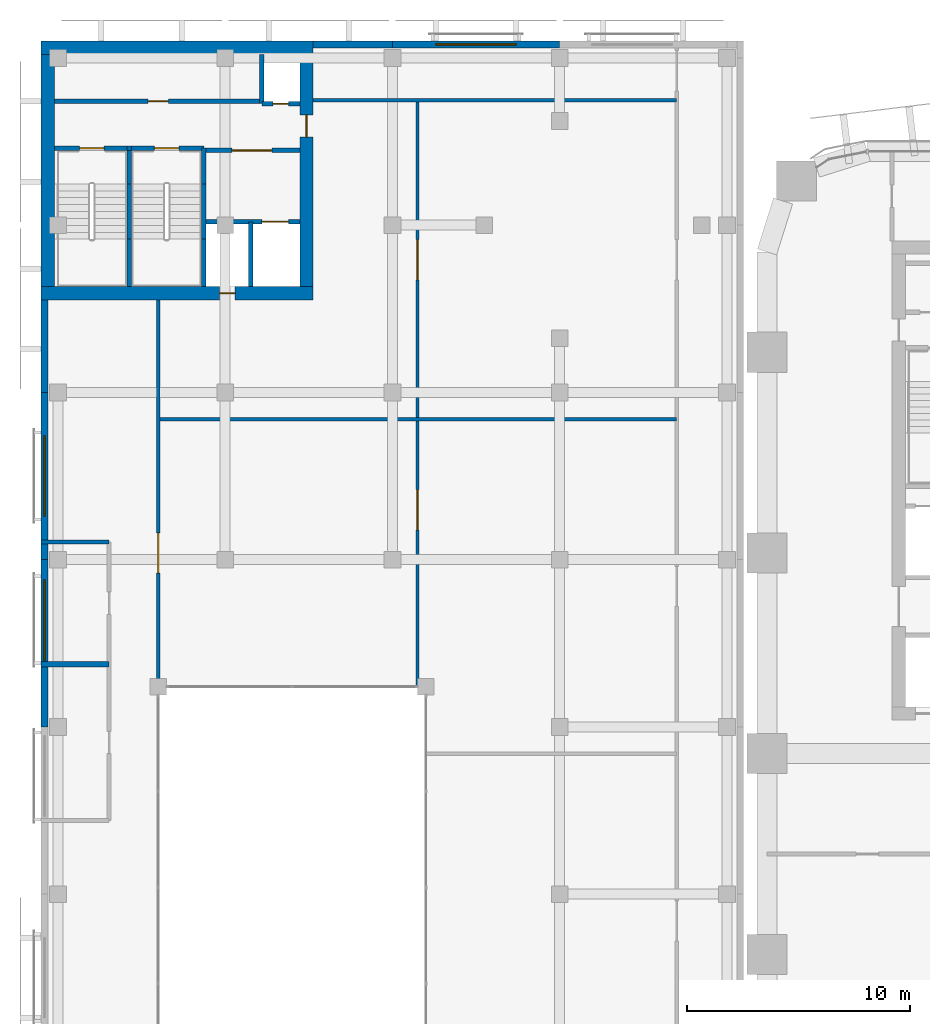
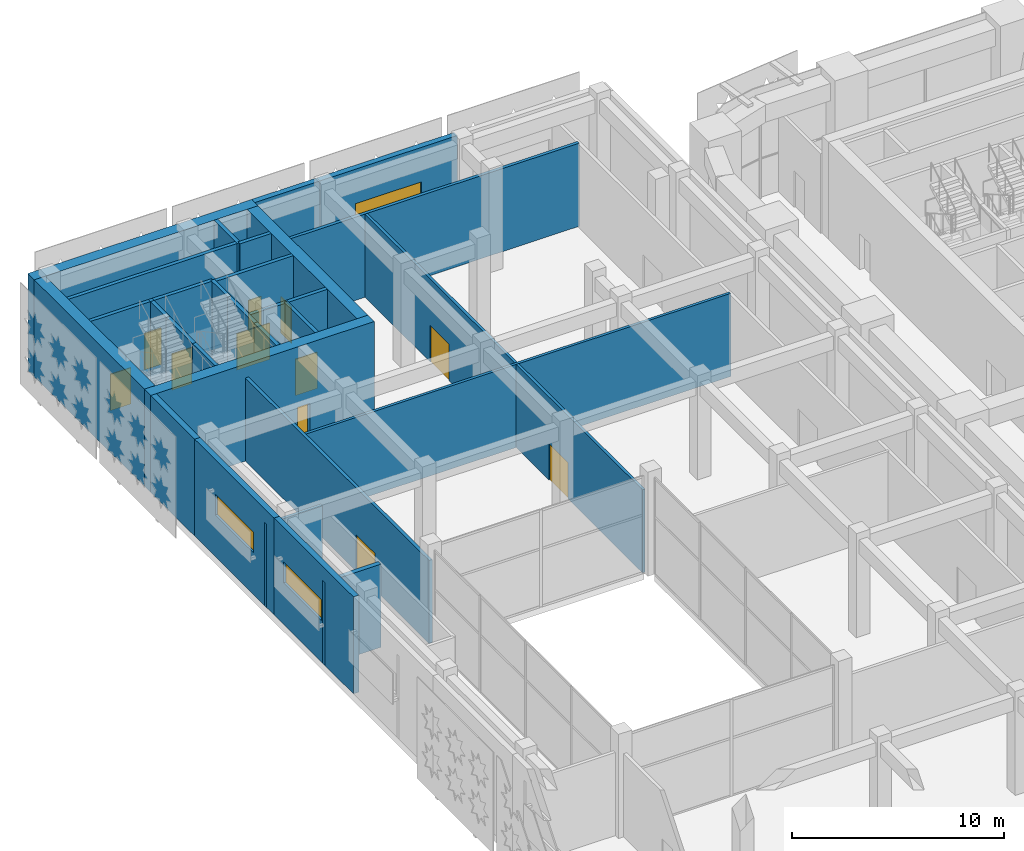
# One storey, part 19 of 46: 30 walls, 11 doors, 3 windows, 14 openings.
"""IFC4 building model written with IfcOpenShell, lengths in metres."""

from ifc_helpers import new_model, si_unit, direction, frame, frame_2d, origin, place, context, subcontext, project, spatial, rectangle, extrude, material, layer, layer_set, type_object, element, fill, save


model = new_model("IFC4")

# Units and contexts
model_context = context("Model", 3, precision=1e-05, world=origin(), true_north=direction((0.0, 1.0)))
body_context = subcontext(model_context, "Body", "Model", "MODEL_VIEW")
ifc_project = project(units=[si_unit("LENGTHUNIT", "METRE"), si_unit("AREAUNIT", "SQUARE_METRE"), si_unit("VOLUMEUNIT", "CUBIC_METRE"), si_unit("PLANEANGLEUNIT", "RADIAN"), si_unit("MASSUNIT", "GRAM", prefix="KILO")], contexts=[model_context])

# Site, building, storey
site_placement = place(None, origin())
site = spatial("IfcSite", under=ifc_project, at=site_placement, CompositionType="ELEMENT")
building_placement = place(site_placement, origin())
building = spatial("IfcBuilding", under=site, at=building_placement, Name="Tessera Arch", CompositionType="ELEMENT")
storey_placement = place(building_placement, frame((0.0, 0.0, 8.0)))
storey = spatial("IfcBuildingStorey", under=building, at=storey_placement, Name="L01", CompositionType="ELEMENT", Elevation=8.0)

# Wall, opening, door
ifc_material_1 = material(Name="Gypsum board on steel stud", Category="steel")
ifc_layer_1 = layer(ifc_material_1, 0.125)
ifc_layer_set_1 = layer_set([ifc_layer_1], Name="Core partition 125 EI 60")
wall_type_1 = type_object("IfcWallType", Name="Core partition 125 EI 60", PredefinedType="PARTITIONING", material=ifc_layer_set_1)
wall_1_placement = place(storey_placement, frame((-25.25, 54.050048828125, 0.0), z_axis=(0.0, 0.0, 1.0), x_axis=(1.0, 0.0, 0.0)))
wall_1 = element("IfcWall", 1, at=wall_1_placement, inside=storey, type_object=wall_type_1, Name="L01 M1 partition wall 10", PredefinedType="PARTITIONING", context=body_context, shape_type="SweptSolid", body=[
    extrude(rectangle(XDim=4.300048828125, YDim=0.199951171875, at=frame_2d((2.14990234375, 0.0))), origin(), (0.0, 0.0, 1.0), 5.590087890625),
])
opening_1_placement = place(wall_1_placement, frame((1.25, 0.0, 0.0)))
opening_1 = element("IfcOpeningElement", 2, at=opening_1_placement, cuts=wall_1, Name="Opening L01-C48", PredefinedType="OPENING", context=body_context, shape_type="SweptSolid", body=[
    extrude(rectangle(XDim=1.800048828125, YDim=2.10009765625, at=frame_2d((0.89990234375, 1.050048828125))), frame((0.0, 0.10986328125, 0.0), z_axis=(0.0, -1.0, 0.0), x_axis=(1.0, 0.0, 0.0)), (0.0, 0.0, 1.0), 0.219970703125),
])
ifc_material_2 = material(Name="Glazed steel door leaf", Category="steel")
door_type_1 = type_object("IfcDoorType", Name="Lobby double door FD30S 1800 x 2100", OperationType="DOUBLE_DOOR_SINGLE_SWING", PredefinedType="DOOR", material=ifc_material_2)
door_1_placement = place(opening_1_placement, origin())
door_1 = element("IfcDoor", 3, at=door_1_placement, inside=storey, type_object=door_type_1, Name="L01 M1 door 4 C48 type D06", OperationType="DOUBLE_DOOR_SINGLE_SWING", OverallHeight=2.10009765625, OverallWidth=1.800048828125, PredefinedType="DOOR", context=body_context, shape_type="SweptSolid", body=[
    extrude(rectangle(XDim=1.800048828125, YDim=2.10009765625, at=frame_2d((0.89990234375, 1.050048828125))), frame((0.0, 0.02490234375, 0.0), z_axis=(0.0, -1.0, 0.0), x_axis=(1.0, 0.0, 0.0)), (0.0, 0.0, 1.0), 0.050048828125),
])
fill(opening_1, door_1)

wall_2_placement = place(storey_placement, frame((-31.949951171875, 56.25, 0.0), z_axis=(0.0, 0.0, 1.0), x_axis=(1.0, 0.0, 0.0)))
wall_2 = element("IfcWall", 4, at=wall_2_placement, inside=storey, type_object=wall_type_1, Name="L01 M1 partition wall 14", PredefinedType="PARTITIONING", context=body_context, shape_type="SweptSolid", body=[
    extrude(rectangle(XDim=9.300048828125, YDim=0.199951171875, at=frame_2d((4.64990234375, 0.0))), origin(), (0.0, 0.0, 1.0), 5.590087890625),
])
opening_2_placement = place(wall_2_placement, frame((4.199951171875, 0.0, 0.0)))
opening_2 = element("IfcOpeningElement", 5, at=opening_2_placement, cuts=wall_2, Name="Opening L01-C52", PredefinedType="OPENING", context=body_context, shape_type="SweptSolid", body=[
    extrude(rectangle(XDim=0.89990234375, YDim=2.10009765625, at=frame_2d((0.449951171875, 1.050048828125))), frame((0.0, 0.10986328125, 0.0), z_axis=(0.0, -1.0, 0.0), x_axis=(1.0, 0.0, 0.0)), (0.0, 0.0, 1.0), 0.219970703125),
])
ifc_material_3 = material(Name="Steel door leaf", Category="steel")
door_type_2 = type_object("IfcDoorType", Name="Store door FD30S 900 x 2100", OperationType="SINGLE_SWING_LEFT", PredefinedType="DOOR", material=ifc_material_3)
door_2_placement = place(opening_2_placement, origin())
door_2 = element("IfcDoor", 6, at=door_2_placement, inside=storey, type_object=door_type_2, Name="L01 M1 door 8 C52 type D09", OperationType="SINGLE_SWING_LEFT", OverallHeight=2.10009765625, OverallWidth=0.89990234375, PredefinedType="DOOR", context=body_context, shape_type="SweptSolid", body=[
    extrude(rectangle(XDim=0.89990234375, YDim=2.10009765625, at=frame_2d((0.449951171875, 1.050048828125))), frame((0.0, 0.02490234375, 0.0), z_axis=(0.0, -1.0, 0.0), x_axis=(1.0, 0.0, 0.0)), (0.0, 0.0, 1.0), 0.050048828125),
])
fill(opening_2, door_2)

ifc_material_4 = material(Name="Concrete C70/85", Category="concrete")
ifc_layer_2 = layer(ifc_material_4, 0.60009765625)
ifc_layer_set_2 = layer_set([ifc_layer_2], Name="Core shell wall 600 C70-85")
wall_type_2 = type_object("IfcWallType", Name="Core shell wall 600 C70-85", PredefinedType="SHEAR", material=ifc_layer_set_2)
wall_3_placement = place(storey_placement, frame((-32.550048828125, 47.64990234375, 0.0), z_axis=(0.0, 0.0, 1.0), x_axis=(1.0, 0.0, 0.0)))
wall_3 = element("IfcWall", 7, at=wall_3_placement, inside=storey, type_object=wall_type_2, Name="L01 M1 core wall S", PredefinedType="SHEAR", context=body_context, shape_type="SweptSolid", body=[
    extrude(rectangle(XDim=12.199951171875, YDim=0.60009765625, at=frame_2d((6.10009765625, 0.0))), origin(), (0.0, 0.0, 1.0), 5.590087890625),
])
opening_3_placement = place(wall_3_placement, frame((8.0, 0.0, 0.0)))
opening_3 = element("IfcOpeningElement", 8, at=opening_3_placement, cuts=wall_3, Name="Opening L01-C50", PredefinedType="OPENING", context=body_context, shape_type="SweptSolid", body=[
    extrude(rectangle(XDim=0.699951171875, YDim=2.10009765625, at=frame_2d((0.35009765625, 1.050048828125))), frame((0.0, 0.31005859375, 0.0), z_axis=(0.0, -1.0, 0.0), x_axis=(1.0, 0.0, 0.0)), (0.0, 0.0, 1.0), 0.6201171875),
])
ifc_material_5 = material(Name="Steel door leaf", Category="steel")
door_type_3 = type_object("IfcDoorType", Name="Service shaft door FD60 700 x 2100", OperationType="SINGLE_SWING_LEFT", PredefinedType="DOOR", material=ifc_material_5)
door_3_placement = place(opening_3_placement, origin())
door_3 = element("IfcDoor", 9, at=door_3_placement, inside=storey, type_object=door_type_3, Name="L01 M1 door 6 C50 type D07", OperationType="SINGLE_SWING_RIGHT", OverallHeight=2.10009765625, OverallWidth=0.699951171875, PredefinedType="DOOR", context=body_context, shape_type="SweptSolid", body=[
    extrude(rectangle(XDim=0.699951171875, YDim=2.10009765625, at=frame_2d((0.35009765625, 1.050048828125))), frame((0.0, 0.02490234375, 0.0), z_axis=(0.0, -1.0, 0.0), x_axis=(1.0, 0.0, 0.0)), (0.0, 0.0, 1.0), 0.050048828125),
])
fill(opening_3, door_3)

# Walls
wall_4_placement = place(storey_placement, frame((-32.550048828125, 58.64990234375, 0.0), z_axis=(0.0, 0.0, 1.0), x_axis=(1.0, 0.0, 0.0)))
element("IfcWall", 10, at=wall_4_placement, inside=storey, type_object=wall_type_2, Name="L01 M1 core wall N", PredefinedType="SHEAR", context=body_context, shape_type="SweptSolid", body=[
    extrude(rectangle(XDim=12.199951171875, YDim=0.60009765625, at=frame_2d((6.10009765625, 0.0))), origin(), (0.0, 0.0, 1.0), 5.590087890625),
])
wall_5_placement = place(storey_placement, frame((-32.25, 47.949951171875, 0.0), z_axis=(0.0, 0.0, 1.0), x_axis=(0.0, 1.0, 0.0)))
element("IfcWall", 11, at=wall_5_placement, inside=storey, type_object=wall_type_2, Name="L01 M1 core wall W", PredefinedType="SHEAR", context=body_context, shape_type="SweptSolid", body=[
    extrude(rectangle(XDim=10.400146484375, YDim=0.60009765625, at=frame_2d((5.2001953125, 0.0))), origin(), (0.0, 0.0, 1.0), 5.590087890625),
])

# Wall, opening, door
wall_6_placement = place(storey_placement, frame((-20.64990234375, 47.949951171875, 0.0), z_axis=(0.0, 0.0, 1.0), x_axis=(0.0, 1.0, 0.0)))
wall_6 = element("IfcWall", 12, at=wall_6_placement, inside=storey, type_object=wall_type_2, Name="L01 M1 core wall E", PredefinedType="SHEAR", context=body_context, shape_type="SweptSolid", body=[
    extrude(rectangle(XDim=10.400146484375, YDim=0.60009765625, at=frame_2d((5.2001953125, 0.0))), origin(), (0.0, 0.0, 1.0), 5.590087890625),
])
opening_4_placement = place(wall_6_placement, frame((6.699951171875, 0.0, 0.0)))
opening_4 = element("IfcOpeningElement", 13, at=opening_4_placement, cuts=wall_6, Name="Opening L01-C51", PredefinedType="OPENING", context=body_context, shape_type="SweptSolid", body=[
    extrude(rectangle(XDim=1.0, YDim=2.10009765625, at=frame_2d((0.5, 1.050048828125))), frame((0.0, 0.31005859375, 0.0), z_axis=(0.0, -1.0, 0.0), x_axis=(1.0, 0.0, 0.0)), (0.0, 0.0, 1.0), 0.6201171875),
])
ifc_material_6 = material(Name="Steel door leaf", Category="steel")
door_type_4 = type_object("IfcDoorType", Name="Corridor door FD60 1000 x 2100", OperationType="SINGLE_SWING_LEFT", PredefinedType="DOOR", material=ifc_material_6)
door_4_placement = place(opening_4_placement, origin())
door_4 = element("IfcDoor", 14, at=door_4_placement, inside=storey, type_object=door_type_4, Name="L01 M1 door 7 C51 type D12", OperationType="SINGLE_SWING_RIGHT", OverallHeight=2.10009765625, OverallWidth=1.0, PredefinedType="DOOR", context=body_context, shape_type="SweptSolid", body=[
    extrude(rectangle(XDim=1.0, YDim=2.10009765625, at=frame_2d((0.5, 1.050048828125))), frame((0.0, 0.02490234375, 0.0), z_axis=(0.0, -1.0, 0.0), x_axis=(1.0, 0.0, 0.0)), (0.0, 0.0, 1.0), 0.050048828125),
])
fill(opening_4, door_4)

# Walls
ifc_material_7 = material(Name="Gypsum board on deep steel stud with mineral wool", Category="steel")
ifc_layer_3 = layer(ifc_material_7, 0.175048828125)
ifc_layer_set_3 = layer_set([ifc_layer_3], Name="Corridor wall 175 EI 60")
wall_type_3 = type_object("IfcWallType", Name="Corridor wall 175 EI 60", PredefinedType="PARTITIONING", material=ifc_layer_set_3)
wall_7_placement = place(storey_placement, frame((-32.550048828125, 36.5, 0.0), z_axis=(0.0, 0.0, 1.0), x_axis=(1.0, 0.0, 0.0)))
element("IfcWall", 15, at=wall_7_placement, inside=storey, type_object=wall_type_3, Name="L01 partition 10", PredefinedType="PARTITIONING", context=body_context, shape_type="SweptSolid", body=[
    extrude(rectangle(XDim=3.050048828125, YDim=0.175048828125, at=frame_2d((1.52490234375, 0.0))), origin(), (0.0, 0.0, 1.0), 4.7900390625),
])
wall_8_placement = place(storey_placement, frame((-20.35009765625, 56.300048828125, 0.0), z_axis=(0.0, 0.0, 1.0), x_axis=(1.0, 0.0, 0.0)))
element("IfcWall", 16, at=wall_8_placement, inside=storey, type_object=wall_type_3, Name="L01 partition 12", PredefinedType="PARTITIONING", context=body_context, shape_type="SweptSolid", body=[
    extrude(rectangle(XDim=16.300048828125, YDim=0.175048828125, at=frame_2d((8.14990234375, 0.0))), origin(), (0.0, 0.0, 1.0), 4.7900390625),
])

# Wall, opening, door
wall_9_placement = place(storey_placement, frame((-27.300048828125, 30.0, 0.0), z_axis=(0.0, 0.0, 1.0), x_axis=(0.0, 1.0, 0.0)))
wall_9 = element("IfcWall", 17, at=wall_9_placement, inside=storey, type_object=wall_type_3, Name="L01 partition 15", PredefinedType="PARTITIONING", context=body_context, shape_type="SweptSolid", body=[
    extrude(rectangle(XDim=17.35009765625, YDim=0.175048828125, at=frame_2d((8.675048828125, 0.0))), origin(), (0.0, 0.0, 1.0), 4.7900390625),
])
opening_5_placement = place(wall_9_placement, frame((5.10009765625, 0.0, 0.0)))
opening_5 = element("IfcOpeningElement", 18, at=opening_5_placement, cuts=wall_9, Name="Opening L01-D009", PredefinedType="OPENING", context=body_context, shape_type="SweptSolid", body=[
    extrude(rectangle(XDim=1.800048828125, YDim=2.10009765625, at=frame_2d((0.89990234375, 1.050048828125))), frame((0.0, 0.097412109375, 0.0), z_axis=(0.0, -1.0, 0.0), x_axis=(1.0, 0.0, 0.0)), (0.0, 0.0, 1.0), 0.195068359375),
])
ifc_material_8 = material(Name="Timber door leaf", Category="wood")
door_type_5 = type_object("IfcDoorType", Name="Double door 1800 x 2100", OperationType="DOUBLE_DOOR_SINGLE_SWING", PredefinedType="DOOR", material=ifc_material_8)
door_5_placement = place(opening_5_placement, origin())
door_5 = element("IfcDoor", 19, at=door_5_placement, inside=storey, type_object=door_type_5, Name="L01 door D009 type D13", OperationType="DOUBLE_DOOR_SINGLE_SWING", OverallHeight=2.10009765625, OverallWidth=1.800048828125, PredefinedType="DOOR", context=body_context, shape_type="SweptSolid", body=[
    extrude(rectangle(XDim=1.800048828125, YDim=2.10009765625, at=frame_2d((0.89990234375, 1.050048828125))), frame((0.0, 0.02490234375, 0.0), z_axis=(0.0, -1.0, 0.0), x_axis=(1.0, 0.0, 0.0)), (0.0, 0.0, 1.0), 0.050048828125),
])
fill(opening_5, door_5)

# Wall, opening, window
ifc_material_9 = material(Name="Aluminium cladding pale metal anodised", Category="aluminium")
ifc_layer_4 = layer(ifc_material_9, 0.300048828125)
ifc_layer_set_4 = layer_set([ifc_layer_4], Name="Museum envelope wall pale metal")
wall_type_4 = type_object("IfcWallType", Name="Museum envelope wall pale metal", PredefinedType="SOLIDWALL", material=ifc_layer_set_4)
wall_10_placement = place(storey_placement, frame((-9.300048828125, 58.800048828125, 0.0), z_axis=(0.0, 0.0, 1.0), x_axis=(-1.0, 0.0, 0.0)))
wall_10 = element("IfcWall", 20, at=wall_10_placement, inside=storey, type_object=wall_type_4, Name="Museum external wall pale metal mashrabiya pattern", PredefinedType="SOLIDWALL", context=body_context, shape_type="SweptSolid", body=[
    extrude(rectangle(XDim=7.5, YDim=0.300048828125, at=frame_2d((3.75, 0.0))), origin(), (0.0, 0.0, 1.0), 5.590087890625),
])
opening_6_placement = place(wall_10_placement, frame((1.949951171875, 0.0, 2.39990234375)))
opening_6 = element("IfcOpeningElement", 21, at=opening_6_placement, cuts=wall_10, Name="Opening L01-MV17", PredefinedType="OPENING", context=body_context, shape_type="SweptSolid", body=[
    extrude(rectangle(XDim=3.60009765625, YDim=1.199951171875, at=frame_2d((1.800048828125, 0.60009765625))), frame((0.0, 0.159912109375, 0.0), z_axis=(0.0, -1.0, 0.0), x_axis=(1.0, 0.0, 0.0)), (0.0, 0.0, 1.0), 0.320068359375),
])
ifc_material_10 = material(Name="Clear low-e glass in aluminium frame", Category="aluminium")
window_type = type_object("IfcWindowType", Name="Museum clerestory window", PartitioningType="SINGLE_PANEL", PredefinedType="WINDOW", material=ifc_material_10)
window_1_placement = place(opening_6_placement, origin())
window_1 = element("IfcWindow", 22, at=window_1_placement, inside=storey, type_object=window_type, Name="Museum window L01 5-3", OverallHeight=1.199951171875, OverallWidth=3.60009765625, PartitioningType="SINGLE_PANEL", PredefinedType="WINDOW", context=body_context, shape_type="SweptSolid", body=[
    extrude(rectangle(XDim=3.60009765625, YDim=1.199951171875, at=frame_2d((1.800048828125, 0.60009765625))), frame((0.0, 0.030029296875, 0.0), z_axis=(0.0, -1.0, 0.0), x_axis=(1.0, 0.0, 0.0)), (0.0, 0.0, 1.0), 0.06005859375),
])
fill(opening_6, window_1)

# Walls
wall_11_placement = place(storey_placement, frame((-16.800048828125, 58.800048828125, 0.0), z_axis=(0.0, 0.0, 1.0), x_axis=(-1.0, 0.0, 0.0)))
element("IfcWall", 23, at=wall_11_placement, inside=storey, type_object=wall_type_4, Name="Museum external wall pale metal mashrabiya pattern", PredefinedType="SOLIDWALL", context=body_context, shape_type="SweptSolid", body=[
    extrude(rectangle(XDim=3.550048828125, YDim=0.300048828125, at=frame_2d((1.77490234375, 0.0))), origin(), (0.0, 0.0, 1.0), 5.590087890625),
])
wall_12_placement = place(storey_placement, frame((-32.39990234375, 47.35009765625, 0.0), z_axis=(0.0, 0.0, 1.0), x_axis=(0.0, -1.0, 0.0)))
element("IfcWall", 24, at=wall_12_placement, inside=storey, type_object=wall_type_4, Name="Museum external wall pale metal mashrabiya pattern", PredefinedType="SOLIDWALL", context=body_context, shape_type="SweptSolid", body=[
    extrude(rectangle(XDim=4.150146484375, YDim=0.300048828125, at=frame_2d((2.0751953125, 0.0))), origin(), (0.0, 0.0, 1.0), 5.590087890625),
])

# Wall, opening, window
wall_13_placement = place(storey_placement, frame((-32.39990234375, 43.199951171875, 0.0), z_axis=(0.0, 0.0, 1.0), x_axis=(0.0, -1.0, 0.0)))
wall_13 = element("IfcWall", 25, at=wall_13_placement, inside=storey, type_object=wall_type_4, Name="Museum external wall pale metal mashrabiya pattern", PredefinedType="SOLIDWALL", context=body_context, shape_type="SweptSolid", body=[
    extrude(rectangle(XDim=7.5, YDim=0.300048828125, at=frame_2d((3.75, 0.0))), origin(), (0.0, 0.0, 1.0), 5.590087890625),
])
opening_7_placement = place(wall_13_placement, frame((1.949951171875, 0.0, 2.39990234375)))
opening_7 = element("IfcOpeningElement", 26, at=opening_7_placement, cuts=wall_13, Name="Opening L01-MV18", PredefinedType="OPENING", context=body_context, shape_type="SweptSolid", body=[
    extrude(rectangle(XDim=3.60009765625, YDim=1.199951171875, at=frame_2d((1.800048828125, 0.60009765625))), frame((0.0, 0.159912109375, 0.0), z_axis=(0.0, -1.0, 0.0), x_axis=(1.0, 0.0, 0.0)), (0.0, 0.0, 1.0), 0.320068359375),
])
window_2_placement = place(opening_7_placement, origin())
window_2 = element("IfcWindow", 27, at=window_2_placement, inside=storey, type_object=window_type, Name="Museum window L01 6-4", OverallHeight=1.199951171875, OverallWidth=3.60009765625, PartitioningType="SINGLE_PANEL", PredefinedType="WINDOW", context=body_context, shape_type="SweptSolid", body=[
    extrude(rectangle(XDim=3.60009765625, YDim=1.199951171875, at=frame_2d((1.800048828125, 0.60009765625))), frame((0.0, 0.030029296875, 0.0), z_axis=(0.0, -1.0, 0.0), x_axis=(1.0, 0.0, 0.0)), (0.0, 0.0, 1.0), 0.06005859375),
])
fill(opening_7, window_2)

wall_14_placement = place(storey_placement, frame((-32.39990234375, 35.699951171875, 0.0), z_axis=(0.0, 0.0, 1.0), x_axis=(0.0, -1.0, 0.0)))
wall_14 = element("IfcWall", 28, at=wall_14_placement, inside=storey, type_object=wall_type_4, Name="Museum external wall pale metal mashrabiya pattern", PredefinedType="SOLIDWALL", context=body_context, shape_type="SweptSolid", body=[
    extrude(rectangle(XDim=7.5, YDim=0.300048828125, at=frame_2d((3.75, 0.0))), origin(), (0.0, 0.0, 1.0), 5.590087890625),
])
opening_8_placement = place(wall_14_placement, frame((0.89990234375, 0.0, 2.39990234375)))
opening_8 = element("IfcOpeningElement", 29, at=opening_8_placement, cuts=wall_14, Name="Opening L01-MV19", PredefinedType="OPENING", context=body_context, shape_type="SweptSolid", body=[
    extrude(rectangle(XDim=3.60009765625, YDim=1.199951171875, at=frame_2d((1.800048828125, 0.60009765625))), frame((0.0, 0.159912109375, 0.0), z_axis=(0.0, -1.0, 0.0), x_axis=(1.0, 0.0, 0.0)), (0.0, 0.0, 1.0), 0.320068359375),
])
window_3_placement = place(opening_8_placement, origin())
window_3 = element("IfcWindow", 30, at=window_3_placement, inside=storey, type_object=window_type, Name="Museum window L01 6-5", OverallHeight=1.199951171875, OverallWidth=3.60009765625, PartitioningType="SINGLE_PANEL", PredefinedType="WINDOW", context=body_context, shape_type="SweptSolid", body=[
    extrude(rectangle(XDim=3.60009765625, YDim=1.199951171875, at=frame_2d((1.800048828125, 0.60009765625))), frame((0.0, 0.030029296875, 0.0), z_axis=(0.0, -1.0, 0.0), x_axis=(1.0, 0.0, 0.0)), (0.0, 0.0, 1.0), 0.06005859375),
])
fill(opening_8, window_3)

# Wall
ifc_material_11 = material(Name="Gypsum board on steel stud", Category="steel")
ifc_layer_5 = layer(ifc_material_11, 0.14990234375)
ifc_layer_set_5 = layer_set([ifc_layer_5], Name="Partition 150")
wall_type_5 = type_object("IfcWallType", Name="Partition 150", PredefinedType="PARTITIONING", material=ifc_layer_set_5)
wall_15_placement = place(storey_placement, frame((-27.300048828125, 42.0, 0.0), z_axis=(0.0, 0.0, 1.0), x_axis=(1.0, 0.0, 0.0)))
element("IfcWall", 31, at=wall_15_placement, inside=storey, type_object=wall_type_5, Name="L01 partition 26", PredefinedType="PARTITIONING", context=body_context, shape_type="SweptSolid", body=[
    extrude(rectangle(XDim=23.25, YDim=0.14990234375, at=frame_2d((11.625, 0.0))), origin(), (0.0, 0.0, 1.0), 4.7900390625),
])

# Wall, openings, doors
wall_16_placement = place(storey_placement, frame((-15.675048828125, 30.0, 0.0), z_axis=(0.0, 0.0, 1.0), x_axis=(0.0, 1.0, 0.0)))
wall_16 = element("IfcWall", 32, at=wall_16_placement, inside=storey, type_object=wall_type_5, Name="L01 partition 27", PredefinedType="PARTITIONING", context=body_context, shape_type="SweptSolid", body=[
    extrude(rectangle(XDim=26.300048828125, YDim=0.14990234375, at=frame_2d((13.14990234375, 0.0))), origin(), (0.0, 0.0, 1.0), 4.7900390625),
])
opening_9_placement = place(wall_16_placement, frame((18.25, 0.0, 0.0)))
opening_9 = element("IfcOpeningElement", 33, at=opening_9_placement, cuts=wall_16, Name="Opening L01-D007", PredefinedType="OPENING", context=body_context, shape_type="SweptSolid", body=[
    extrude(rectangle(XDim=1.800048828125, YDim=2.10009765625, at=frame_2d((0.89990234375, 1.050048828125))), frame((0.0, 0.0849609375, 0.0), z_axis=(0.0, -1.0, 0.0), x_axis=(1.0, 0.0, 0.0)), (0.0, 0.0, 1.0), 0.169921875),
])
opening_10_placement = place(wall_16_placement, frame((7.0400390625, 0.0, 0.0)))
opening_10 = element("IfcOpeningElement", 34, at=opening_10_placement, cuts=wall_16, Name="Opening L01-D008", PredefinedType="OPENING", context=body_context, shape_type="SweptSolid", body=[
    extrude(rectangle(XDim=1.800048828125, YDim=2.10009765625, at=frame_2d((0.89990234375, 1.050048828125))), frame((0.0, 0.0849609375, 0.0), z_axis=(0.0, -1.0, 0.0), x_axis=(1.0, 0.0, 0.0)), (0.0, 0.0, 1.0), 0.169921875),
])
door_6_placement = place(opening_9_placement, origin())
door_6 = element("IfcDoor", 35, at=door_6_placement, inside=storey, type_object=door_type_5, Name="L01 door D007 type D13", OperationType="DOUBLE_DOOR_SINGLE_SWING", OverallHeight=2.10009765625, OverallWidth=1.800048828125, PredefinedType="DOOR", context=body_context, shape_type="SweptSolid", body=[
    extrude(rectangle(XDim=1.800048828125, YDim=2.10009765625, at=frame_2d((0.89990234375, 1.050048828125))), frame((0.0, 0.02490234375, 0.0), z_axis=(0.0, -1.0, 0.0), x_axis=(1.0, 0.0, 0.0)), (0.0, 0.0, 1.0), 0.050048828125),
])
fill(opening_9, door_6)
door_7_placement = place(opening_10_placement, origin())
door_7 = element("IfcDoor", 36, at=door_7_placement, inside=storey, type_object=door_type_5, Name="L01 door D008 type D13", OperationType="DOUBLE_DOOR_SINGLE_SWING", OverallHeight=2.10009765625, OverallWidth=1.800048828125, PredefinedType="DOOR", context=body_context, shape_type="SweptSolid", body=[
    extrude(rectangle(XDim=1.800048828125, YDim=2.10009765625, at=frame_2d((0.89990234375, 1.050048828125))), frame((0.0, 0.02490234375, 0.0), z_axis=(0.0, -1.0, 0.0), x_axis=(1.0, 0.0, 0.0)), (0.0, 0.0, 1.0), 0.050048828125),
])
fill(opening_10, door_7)

# Walls
ifc_material_12 = material(Name="Double gypsum board on twin steel stud with acoustic mineral wool", Category="steel")
ifc_layer_6 = layer(ifc_material_12, 0.25)
ifc_layer_set_6 = layer_set([ifc_layer_6], Name="Party wall 250 EI 60")
wall_type_6 = type_object("IfcWallType", Name="Party wall 250 EI 60", PredefinedType="PARTITIONING", material=ifc_layer_set_6)
wall_17_placement = place(storey_placement, frame((-32.550048828125, 31.0, 0.0), z_axis=(0.0, 0.0, 1.0), x_axis=(1.0, 0.0, 0.0)))
element("IfcWall", 37, at=wall_17_placement, inside=storey, type_object=wall_type_6, Name="L01 partition 36", PredefinedType="PARTITIONING", context=body_context, shape_type="SweptSolid", body=[
    extrude(rectangle(XDim=3.050048828125, YDim=0.25, at=frame_2d((1.52490234375, 0.0))), origin(), (0.0, 0.0, 1.0), 4.7900390625),
])
ifc_material_13 = material(Name="Concrete C40/50", Category="concrete")
ifc_layer_7 = layer(ifc_material_13, 0.199951171875)
ifc_layer_set_7 = layer_set([ifc_layer_7], Name="Shaft wall 200 EI 120")
wall_type_7 = type_object("IfcWallType", Name="Shaft wall 200 EI 120", PredefinedType="SOLIDWALL", material=ifc_layer_set_7)
wall_18_placement = place(storey_placement, frame((-23.14990234375, 47.949951171875, 0.0), z_axis=(0.0, 0.0, 1.0), x_axis=(0.0, 1.0, 0.0)))
element("IfcWall", 38, at=wall_18_placement, inside=storey, type_object=wall_type_7, Name="L01 M1 shaft wall 7", PredefinedType="SOLIDWALL", context=body_context, shape_type="SweptSolid", body=[
    extrude(rectangle(XDim=2.900146484375, YDim=0.199951171875, at=frame_2d((1.4501953125, 0.0))), origin(), (0.0, 0.0, 1.0), 5.590087890625),
])
wall_19_placement = place(storey_placement, frame((-22.64990234375, 56.14990234375, 0.0), z_axis=(0.0, 0.0, 1.0), x_axis=(0.0, 1.0, 0.0)))
element("IfcWall", 39, at=wall_19_placement, inside=storey, type_object=wall_type_7, Name="L01 M1 shaft wall 8", PredefinedType="SOLIDWALL", context=body_context, shape_type="SweptSolid", body=[
    extrude(rectangle(XDim=2.2001953125, YDim=0.199951171875, at=frame_2d((1.10009765625, 0.0))), origin(), (0.0, 0.0, 1.0), 5.590087890625),
])

# Wall, opening, door
wall_20_placement = place(storey_placement, frame((-25.25, 50.85009765625, 0.0), z_axis=(0.0, 0.0, 1.0), x_axis=(1.0, 0.0, 0.0)))
wall_20 = element("IfcWall", 40, at=wall_20_placement, inside=storey, type_object=wall_type_7, Name="L01 M1 shaft wall 9", PredefinedType="SOLIDWALL", context=body_context, shape_type="SweptSolid", body=[
    extrude(rectangle(XDim=4.300048828125, YDim=0.199951171875, at=frame_2d((2.14990234375, 0.0))), origin(), (0.0, 0.0, 1.0), 5.590087890625),
])
opening_11_placement = place(wall_20_placement, frame((2.60009765625, 0.0, 0.0)))
opening_11 = element("IfcOpeningElement", 41, at=opening_11_placement, cuts=wall_20, Name="Opening L01-C45", PredefinedType="OPENING", context=body_context, shape_type="SweptSolid", body=[
    extrude(rectangle(XDim=1.199951171875, YDim=2.10009765625, at=frame_2d((0.60009765625, 1.050048828125))), frame((0.0, 0.10986328125, 0.0), z_axis=(0.0, -1.0, 0.0), x_axis=(1.0, 0.0, 0.0)), (0.0, 0.0, 1.0), 0.219970703125),
])
ifc_material_14 = material(Name="Stainless steel AISI 304", Category="steel")
door_type_6 = type_object("IfcDoorType", Name="Sliding landing door 1200 x 2100", OperationType="SLIDING_TO_LEFT", PredefinedType="DOOR", material=ifc_material_14)
door_8_placement = place(opening_11_placement, origin())
door_8 = element("IfcDoor", 42, at=door_8_placement, inside=storey, type_object=door_type_6, Name="L01 ML1 lift landing door C45 type LD", OperationType="SLIDING_TO_LEFT", OverallHeight=2.10009765625, OverallWidth=1.199951171875, PredefinedType="DOOR", context=body_context, shape_type="SweptSolid", body=[
    extrude(rectangle(XDim=1.199951171875, YDim=2.10009765625, at=frame_2d((0.60009765625, 1.050048828125))), frame((0.0, 0.02490234375, 0.0), z_axis=(0.0, -1.0, 0.0), x_axis=(1.0, 0.0, 0.0)), (0.0, 0.0, 1.0), 0.050048828125),
])
fill(opening_11, door_8)

wall_21_placement = place(storey_placement, frame((-22.64990234375, 56.14990234375, 0.0), z_axis=(0.0, 0.0, 1.0), x_axis=(1.0, 0.0, 0.0)))
wall_21 = element("IfcWall", 43, at=wall_21_placement, inside=storey, type_object=wall_type_7, Name="L01 M1 shaft wall 15", PredefinedType="SOLIDWALL", context=body_context, shape_type="SweptSolid", body=[
    extrude(rectangle(XDim=1.699951171875, YDim=0.199951171875, at=frame_2d((0.85009765625, 0.0))), origin(), (0.0, 0.0, 1.0), 5.590087890625),
])
opening_12_placement = place(wall_21_placement, frame((0.5, 0.0, 0.0)))
opening_12 = element("IfcOpeningElement", 44, at=opening_12_placement, cuts=wall_21, Name="Opening L01-C49", PredefinedType="OPENING", context=body_context, shape_type="SweptSolid", body=[
    extrude(rectangle(XDim=0.699951171875, YDim=2.10009765625, at=frame_2d((0.35009765625, 1.050048828125))), frame((0.0, 0.10986328125, 0.0), z_axis=(0.0, -1.0, 0.0), x_axis=(1.0, 0.0, 0.0)), (0.0, 0.0, 1.0), 0.219970703125),
])
door_9_placement = place(opening_12_placement, origin())
door_9 = element("IfcDoor", 45, at=door_9_placement, inside=storey, type_object=door_type_3, Name="L01 M1 door 5 C49 type D07", OperationType="SINGLE_SWING_RIGHT", OverallHeight=2.10009765625, OverallWidth=0.699951171875, PredefinedType="DOOR", context=body_context, shape_type="SweptSolid", body=[
    extrude(rectangle(XDim=0.699951171875, YDim=2.10009765625, at=frame_2d((0.35009765625, 1.050048828125))), frame((0.0, 0.02490234375, 0.0), z_axis=(0.0, -1.0, 0.0), x_axis=(1.0, 0.0, 0.0)), (0.0, 0.0, 1.0), 0.050048828125),
])
fill(opening_12, door_9)

# Walls
ifc_material_15 = material(Name="Concrete C40/50", Category="concrete")
ifc_layer_8 = layer(ifc_material_15, 0.199951171875)
ifc_layer_set_8 = layer_set([ifc_layer_8], Name="Stair well wall 200 REI 180")
wall_type_8 = type_object("IfcWallType", Name="Stair well wall 200 REI 180", PredefinedType="SOLIDWALL", material=ifc_layer_set_8)
wall_22_placement = place(storey_placement, frame((-28.60009765625, 47.949951171875, 0.0), z_axis=(0.0, 0.0, 1.0), x_axis=(0.0, 1.0, 0.0)))
element("IfcWall", 46, at=wall_22_placement, inside=storey, type_object=wall_type_8, Name="L01 M1 shaft wall 1", PredefinedType="SOLIDWALL", context=body_context, shape_type="SweptSolid", body=[
    extrude(rectangle(XDim=2.1201171875, YDim=0.199951171875, at=frame_2d((1.06005859375, 0.0))), origin(), (0.0, 0.0, 1.0), 5.590087890625),
])
wall_23_placement = place(storey_placement, frame((-28.60009765625, 50.070068359375, 0.0), z_axis=(0.0, 0.0, 1.0), x_axis=(0.0, 1.0, 0.0)))
element("IfcWall", 47, at=wall_23_placement, inside=storey, type_object=wall_type_8, Name="L01 M1 shaft wall 2", PredefinedType="SOLIDWALL", context=body_context, shape_type="SweptSolid", body=[
    extrude(rectangle(XDim=2.47998046875, YDim=0.199951171875, at=frame_2d((1.239990234375, 0.0))), origin(), (0.0, 0.0, 1.0), 5.590087890625),
])
wall_24_placement = place(storey_placement, frame((-28.60009765625, 52.550048828125, 0.0), z_axis=(0.0, 0.0, 1.0), x_axis=(0.0, 1.0, 0.0)))
element("IfcWall", 48, at=wall_24_placement, inside=storey, type_object=wall_type_8, Name="L01 M1 shaft wall 3", PredefinedType="SOLIDWALL", context=body_context, shape_type="SweptSolid", body=[
    extrude(rectangle(XDim=1.599853515625, YDim=0.199951171875, at=frame_2d((0.7998046875, 0.0))), origin(), (0.0, 0.0, 1.0), 5.590087890625),
])
wall_25_placement = place(storey_placement, frame((-25.25, 47.949951171875, 0.0), z_axis=(0.0, 0.0, 1.0), x_axis=(0.0, 1.0, 0.0)))
element("IfcWall", 49, at=wall_25_placement, inside=storey, type_object=wall_type_8, Name="L01 M1 shaft wall 4", PredefinedType="SOLIDWALL", context=body_context, shape_type="SweptSolid", body=[
    extrude(rectangle(XDim=2.1201171875, YDim=0.199951171875, at=frame_2d((1.06005859375, 0.0))), origin(), (0.0, 0.0, 1.0), 5.590087890625),
])
wall_26_placement = place(storey_placement, frame((-25.25, 50.070068359375, 0.0), z_axis=(0.0, 0.0, 1.0), x_axis=(0.0, 1.0, 0.0)))
element("IfcWall", 50, at=wall_26_placement, inside=storey, type_object=wall_type_8, Name="L01 M1 shaft wall 5", PredefinedType="SOLIDWALL", context=body_context, shape_type="SweptSolid", body=[
    extrude(rectangle(XDim=2.47998046875, YDim=0.199951171875, at=frame_2d((1.239990234375, 0.0))), origin(), (0.0, 0.0, 1.0), 5.590087890625),
])
wall_27_placement = place(storey_placement, frame((-25.25, 52.550048828125, 0.0), z_axis=(0.0, 0.0, 1.0), x_axis=(0.0, 1.0, 0.0)))
element("IfcWall", 51, at=wall_27_placement, inside=storey, type_object=wall_type_8, Name="L01 M1 shaft wall 6", PredefinedType="SOLIDWALL", context=body_context, shape_type="SweptSolid", body=[
    extrude(rectangle(XDim=1.599853515625, YDim=0.199951171875, at=frame_2d((0.7998046875, 0.0))), origin(), (0.0, 0.0, 1.0), 5.590087890625),
])

# Wall, opening, door
wall_28_placement = place(storey_placement, frame((-31.949951171875, 54.14990234375, 0.0), z_axis=(0.0, 0.0, 1.0), x_axis=(1.0, 0.0, 0.0)))
wall_28 = element("IfcWall", 52, at=wall_28_placement, inside=storey, type_object=wall_type_8, Name="L01 M1 shaft wall 11", PredefinedType="SOLIDWALL", context=body_context, shape_type="SweptSolid", body=[
    extrude(rectangle(XDim=3.25, YDim=0.199951171875, at=frame_2d((1.625, 0.0))), origin(), (0.0, 0.0, 1.0), 5.590087890625),
])
opening_13_placement = place(wall_28_placement, frame((1.125, 0.0, 0.0)))
opening_13 = element("IfcOpeningElement", 53, at=opening_13_placement, cuts=wall_28, Name="Opening L01-C46", PredefinedType="OPENING", context=body_context, shape_type="SweptSolid", body=[
    extrude(rectangle(XDim=1.10009765625, YDim=2.10009765625, at=frame_2d((0.550048828125, 1.050048828125))), frame((0.0, 0.10986328125, 0.0), z_axis=(0.0, -1.0, 0.0), x_axis=(1.0, 0.0, 0.0)), (0.0, 0.0, 1.0), 0.219970703125),
])
ifc_material_16 = material(Name="Steel door leaf", Category="steel")
door_type_7 = type_object("IfcDoorType", Name="Stair door FD60 1100 x 2100", OperationType="SINGLE_SWING_LEFT", PredefinedType="DOOR", material=ifc_material_16)
door_10_placement = place(opening_13_placement, origin())
door_10 = element("IfcDoor", 54, at=door_10_placement, inside=storey, type_object=door_type_7, Name="L01 M1 door 2 C46 type D05", OperationType="SINGLE_SWING_RIGHT", OverallHeight=2.10009765625, OverallWidth=1.10009765625, PredefinedType="DOOR", context=body_context, shape_type="SweptSolid", body=[
    extrude(rectangle(XDim=1.10009765625, YDim=2.10009765625, at=frame_2d((0.550048828125, 1.050048828125))), frame((0.0, 0.02490234375, 0.0), z_axis=(0.0, -1.0, 0.0), x_axis=(1.0, 0.0, 0.0)), (0.0, 0.0, 1.0), 0.050048828125),
])
fill(opening_13, door_10)

# Wall
wall_29_placement = place(storey_placement, frame((-28.699951171875, 54.14990234375, 0.0), z_axis=(0.0, 0.0, 1.0), x_axis=(1.0, 0.0, 0.0)))
element("IfcWall", 55, at=wall_29_placement, inside=storey, type_object=wall_type_8, Name="L01 M1 shaft wall 12", PredefinedType="SOLIDWALL", context=body_context, shape_type="SweptSolid", body=[
    extrude(rectangle(XDim=0.199951171875, YDim=0.199951171875, at=frame_2d((0.10009765625, 0.0))), origin(), (0.0, 0.0, 1.0), 5.590087890625),
])

# Wall, opening, door
wall_30_placement = place(storey_placement, frame((-28.5, 54.14990234375, 0.0), z_axis=(0.0, 0.0, 1.0), x_axis=(1.0, 0.0, 0.0)))
wall_30 = element("IfcWall", 56, at=wall_30_placement, inside=storey, type_object=wall_type_8, Name="L01 M1 shaft wall 13", PredefinedType="SOLIDWALL", context=body_context, shape_type="SweptSolid", body=[
    extrude(rectangle(XDim=3.25, YDim=0.199951171875, at=frame_2d((1.625, 0.0))), origin(), (0.0, 0.0, 1.0), 5.590087890625),
])
opening_14_placement = place(wall_30_placement, frame((1.02490234375, 0.0, 0.0)))
opening_14 = element("IfcOpeningElement", 57, at=opening_14_placement, cuts=wall_30, Name="Opening L01-C47", PredefinedType="OPENING", context=body_context, shape_type="SweptSolid", body=[
    extrude(rectangle(XDim=1.10009765625, YDim=2.10009765625, at=frame_2d((0.550048828125, 1.050048828125))), frame((0.0, 0.10986328125, 0.0), z_axis=(0.0, -1.0, 0.0), x_axis=(1.0, 0.0, 0.0)), (0.0, 0.0, 1.0), 0.219970703125),
])
door_11_placement = place(opening_14_placement, origin())
door_11 = element("IfcDoor", 58, at=door_11_placement, inside=storey, type_object=door_type_7, Name="L01 M1 door 3 C47 type D05", OperationType="SINGLE_SWING_LEFT", OverallHeight=2.10009765625, OverallWidth=1.10009765625, PredefinedType="DOOR", context=body_context, shape_type="SweptSolid", body=[
    extrude(rectangle(XDim=1.10009765625, YDim=2.10009765625, at=frame_2d((0.550048828125, 1.050048828125))), frame((0.0, 0.02490234375, 0.0), z_axis=(0.0, -1.0, 0.0), x_axis=(1.0, 0.0, 0.0)), (0.0, 0.0, 1.0), 0.050048828125),
])
fill(opening_14, door_11)

save(model, "model.ifc")
